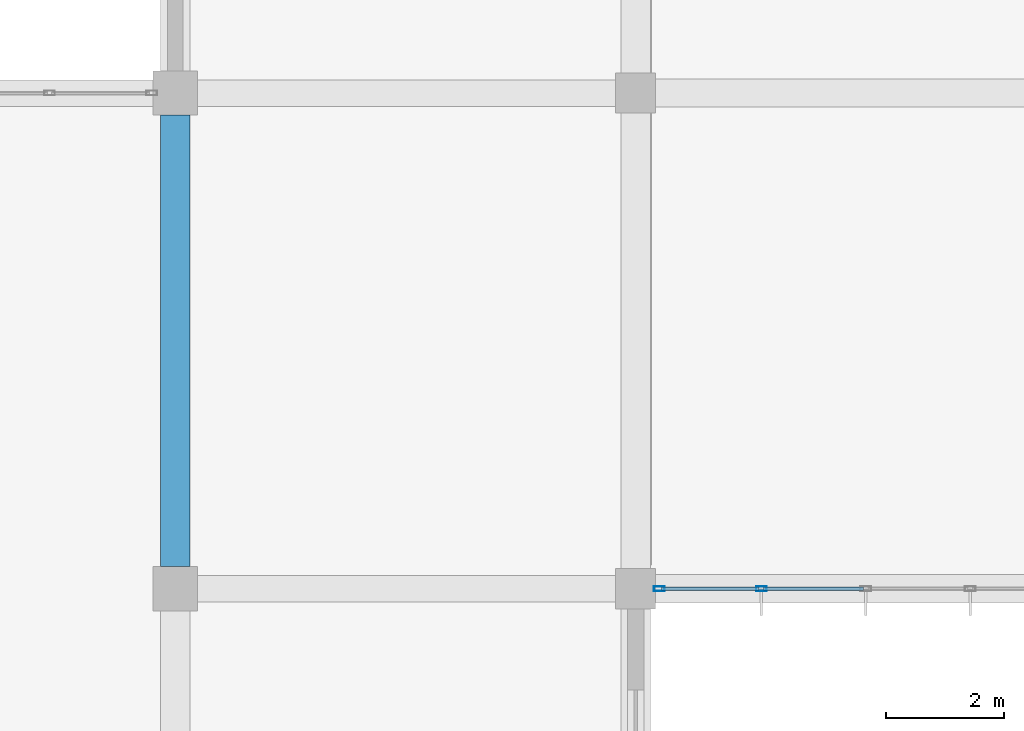
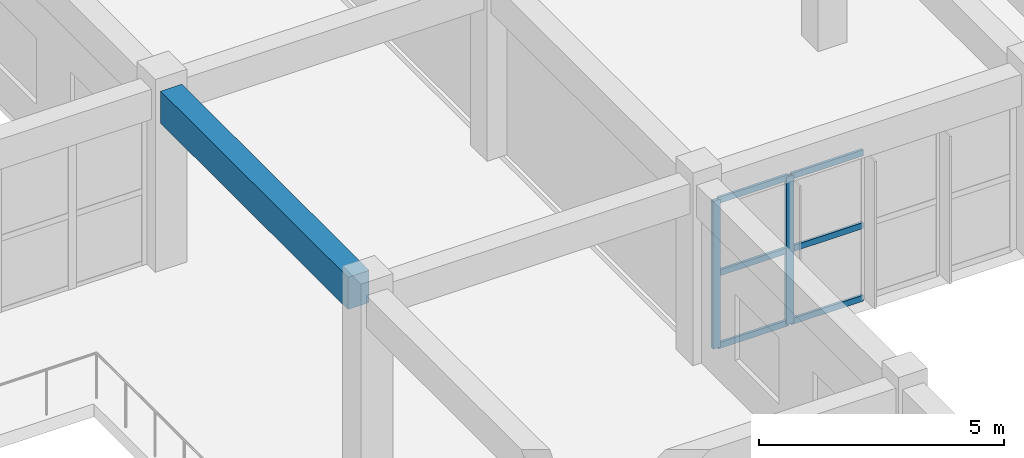
# One storey, part 90 of 175: 8 members, 1 beam, 1 element without a shape of its own.
"""IFC4 building model written with IfcOpenShell, lengths in metres."""

from ifc_helpers import new_model, si_unit, direction, frame, origin, origin_2d, place, context, subcontext, project, spatial, rectangle, hollow_rectangle, extrude, material, layer, layer_set, material_profile, profile_set, type_object, element, aggregate, save


model = new_model("IFC4")

# Units and contexts
model_context = context("Model", 3, precision=1e-05, world=origin(), true_north=direction((0.0, 1.0)))
body_context = subcontext(model_context, "Body", "Model", "MODEL_VIEW")
ifc_project = project(units=[si_unit("LENGTHUNIT", "METRE"), si_unit("AREAUNIT", "SQUARE_METRE"), si_unit("VOLUMEUNIT", "CUBIC_METRE"), si_unit("PLANEANGLEUNIT", "RADIAN"), si_unit("MASSUNIT", "GRAM", prefix="KILO")], contexts=[model_context])

# Site, building, storey
site_placement = place(None, origin())
site = spatial("IfcSite", under=ifc_project, at=site_placement, CompositionType="ELEMENT")
building_placement = place(site_placement, origin())
building = spatial("IfcBuilding", under=site, at=building_placement, Name="Zizhar Promenade General Hospital", CompositionType="ELEMENT")
storey_placement = place(building_placement, frame((0.0, 0.0, 4.800048828125)))
storey = spatial("IfcBuildingStorey", under=building, at=storey_placement, Name="L01", CompositionType="ELEMENT", Elevation=4.800048828125)

# Beam
ifc_material_1 = material(Name="Concrete C35/45", Category="concrete")
ifc_material_profile_1 = material_profile(ifc_material_1, rectangle(XDim=0.5, YDim=0.800048828125, at=origin_2d()))
ifc_profile_set_1 = profile_set([ifc_material_profile_1], Name="Concrete C35/45")
beam_type = type_object("IfcBeamType", Name="BM-RC-500x800", PredefinedType="BEAM", material=ifc_profile_set_1)
beam_placement = place(storey_placement, frame((124.800048828125, 42.375, 4.070068359375), z_axis=(0.0, 1.0, 0.0), x_axis=(-1.0, 0.0, 0.0)))
element("IfcBeam", 1, at=beam_placement, inside=storey, type_object=beam_type, Name="Grid Beam Y L01 (16-5)", PredefinedType="BEAM", context=body_context, shape_type="SweptSolid", body=[
    extrude(rectangle(XDim=0.5, YDim=0.800048828125, at=origin_2d()), origin(), (0.0, 0.0, 1.0), 7.64990234375),
])

# Curtain wall, members
ifc_material_2 = material(Name="Anodised aluminium 6063-T6 and low-E glass", Category="aluminium")
ifc_layer = layer(ifc_material_2, 0.159912109375)
ifc_layer_set = layer_set([ifc_layer], Name="Anodised aluminium 6063-T6 and low-E glass")
curtain_wall_type = type_object("IfcCurtainWallType", Name="CW-CLN-EXT", PredefinedType="NOTDEFINED", material=ifc_layer_set)
curtain_wall_placement = place(storey_placement, origin())
curtain_wall = element("IfcCurtainWall", 2, at=curtain_wall_placement, inside=storey, type_object=curtain_wall_type, Name="Outpatient Forecourt Curtain Wall L01-17", PredefinedType="NOTDEFINED")
ifc_material_3 = material(Name="Anodised aluminium 6063-T6", Category="aluminium")
ifc_material_profile_2 = material_profile(ifc_material_3, hollow_rectangle(XDim=0.080078125, YDim=0.179931640625, WallThickness=0.0048828125, at=origin_2d()))
ifc_profile_set_2 = profile_set([ifc_material_profile_2], Name="Anodised aluminium 6063-T6")
member_type_1 = type_object("IfcMemberType", Name="CWM-ALU-180x80", PredefinedType="MULLION", material=ifc_profile_set_2)
member_1_placement = place(storey_placement, frame((134.72998046875, 42.0, 0.0), z_axis=(0.0, 0.0, 1.0), x_axis=(0.0, -1.0, 0.0)))
member_1 = element("IfcMember", 3, at=member_1_placement, type_object=member_type_1, Name="CW-09 mullion 4", PredefinedType="MULLION", context=body_context, shape_type="SweptSolid", body=[
    extrude(hollow_rectangle(XDim=0.080078125, YDim=0.179931640625, WallThickness=0.0048828125, at=origin_2d()), origin(), (0.0, 0.0, 1.0), 3.679931640625),
])
member_2_placement = place(storey_placement, frame((133.0, 42.0, 0.0), z_axis=(0.0, 0.0, 1.0), x_axis=(0.0, -1.0, 0.0)))
member_2 = element("IfcMember", 4, at=member_2_placement, type_object=member_type_1, Name="CW-09 mullion 5", PredefinedType="MULLION", context=body_context, shape_type="SweptSolid", body=[
    extrude(hollow_rectangle(XDim=0.080078125, YDim=0.179931640625, WallThickness=0.0048828125, at=origin_2d()), origin(), (0.0, 0.0, 1.0), 3.679931640625),
])
ifc_material_4 = material(Name="Anodised aluminium 6063-T6", Category="aluminium")
ifc_material_profile_3 = material_profile(ifc_material_4, hollow_rectangle(XDim=0.06005859375, YDim=0.14990234375, WallThickness=0.00390625, at=origin_2d()))
ifc_profile_set_3 = profile_set([ifc_material_profile_3], Name="Anodised aluminium 6063-T6")
member_type_2 = type_object("IfcMemberType", Name="CWT-ALU-150x60", PredefinedType="USERDEFINED", material=ifc_profile_set_3)
member_3_placement = place(storey_placement, frame((136.4599609375, 42.0, 0.030029296875), z_axis=(-1.0, 0.0, 0.0), x_axis=(0.0, -1.0, 0.0)))
member_3 = element("IfcMember", 5, at=member_3_placement, type_object=member_type_2, Name="CW-09 transom 3.1", ObjectType="TRANSOM", PredefinedType="USERDEFINED", context=body_context, shape_type="SweptSolid", body=[
    extrude(hollow_rectangle(XDim=0.06005859375, YDim=0.14990234375, WallThickness=0.00390625, at=origin_2d()), origin(), (0.0, 0.0, 1.0), 1.68994140625),
])
member_4_placement = place(storey_placement, frame((136.4599609375, 42.0, 1.83984375), z_axis=(-1.0, 0.0, 0.0), x_axis=(0.0, -1.0, 0.0)))
member_4 = element("IfcMember", 6, at=member_4_placement, type_object=member_type_2, Name="CW-09 transom 3.2", ObjectType="TRANSOM", PredefinedType="USERDEFINED", context=body_context, shape_type="SweptSolid", body=[
    extrude(hollow_rectangle(XDim=0.06005859375, YDim=0.14990234375, WallThickness=0.00390625, at=origin_2d()), origin(), (0.0, 0.0, 1.0), 1.68994140625),
])
member_5_placement = place(storey_placement, frame((136.4599609375, 42.0, 3.64990234375), z_axis=(-1.0, 0.0, 0.0), x_axis=(0.0, -1.0, 0.0)))
member_5 = element("IfcMember", 7, at=member_5_placement, type_object=member_type_2, Name="CW-09 transom 3.3", ObjectType="TRANSOM", PredefinedType="USERDEFINED", context=body_context, shape_type="SweptSolid", body=[
    extrude(hollow_rectangle(XDim=0.06005859375, YDim=0.14990234375, WallThickness=0.00390625, at=origin_2d()), origin(), (0.0, 0.0, 1.0), 1.68994140625),
])
member_6_placement = place(storey_placement, frame((134.68994140625, 42.0, 0.030029296875), z_axis=(-1.0, 0.0, 0.0), x_axis=(0.0, -1.0, 0.0)))
member_6 = element("IfcMember", 8, at=member_6_placement, type_object=member_type_2, Name="CW-09 transom 4.1", ObjectType="TRANSOM", PredefinedType="USERDEFINED", context=body_context, shape_type="SweptSolid", body=[
    extrude(hollow_rectangle(XDim=0.06005859375, YDim=0.14990234375, WallThickness=0.00390625, at=origin_2d()), origin(), (0.0, 0.0, 1.0), 1.64990234375),
])
member_7_placement = place(storey_placement, frame((134.68994140625, 42.0, 1.83984375), z_axis=(-1.0, 0.0, 0.0), x_axis=(0.0, -1.0, 0.0)))
member_7 = element("IfcMember", 9, at=member_7_placement, type_object=member_type_2, Name="CW-09 transom 4.2", ObjectType="TRANSOM", PredefinedType="USERDEFINED", context=body_context, shape_type="SweptSolid", body=[
    extrude(hollow_rectangle(XDim=0.06005859375, YDim=0.14990234375, WallThickness=0.00390625, at=origin_2d()), origin(), (0.0, 0.0, 1.0), 1.64990234375),
])
member_8_placement = place(storey_placement, frame((134.68994140625, 42.0, 3.64990234375), z_axis=(-1.0, 0.0, 0.0), x_axis=(0.0, -1.0, 0.0)))
member_8 = element("IfcMember", 10, at=member_8_placement, type_object=member_type_2, Name="CW-09 transom 4.3", ObjectType="TRANSOM", PredefinedType="USERDEFINED", context=body_context, shape_type="SweptSolid", body=[
    extrude(hollow_rectangle(XDim=0.06005859375, YDim=0.14990234375, WallThickness=0.00390625, at=origin_2d()), origin(), (0.0, 0.0, 1.0), 1.64990234375),
])
aggregate(curtain_wall, [member_1, member_2, member_3, member_4, member_5, member_6, member_7, member_8])

save(model, "model.ifc")
